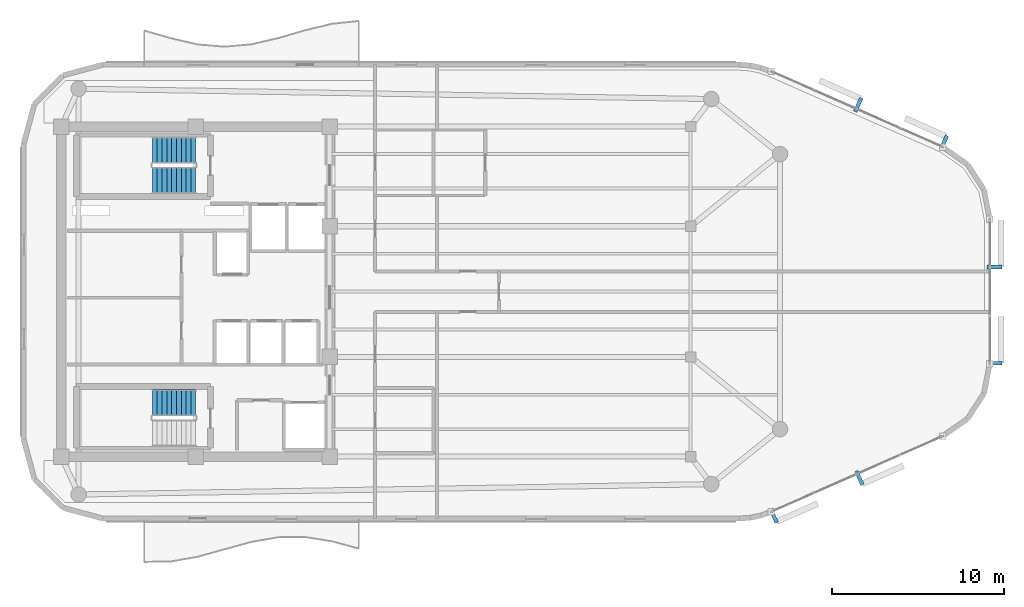
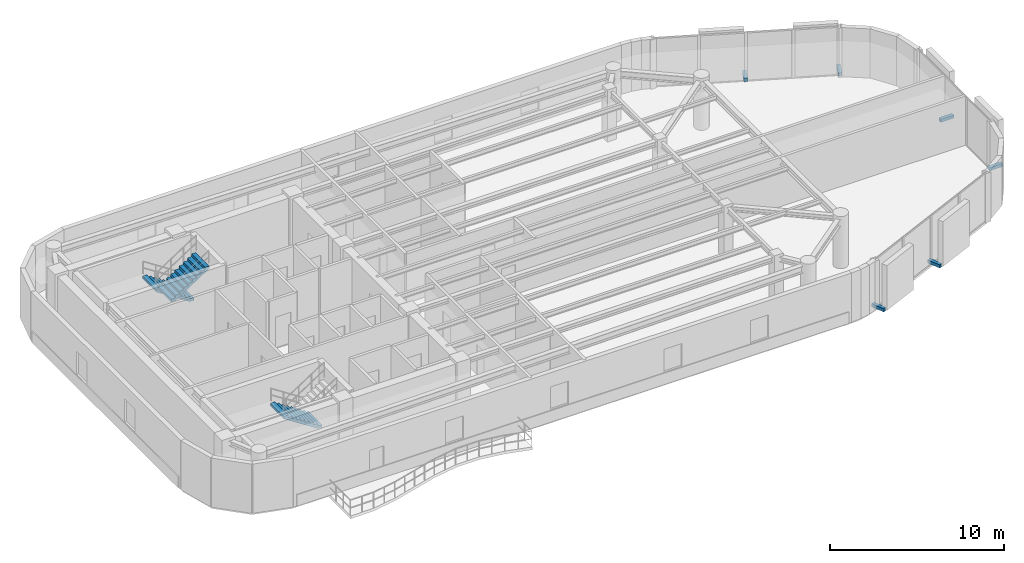
# One storey, part 10 of 12: 6 discrete accessories, 3 stair flights, 2 elements without a shape of their own.
"""IFC4 building model written with IfcOpenShell, lengths in metres."""

from ifc_helpers import new_model, si_unit, direction, frame, origin, origin_2d, place, context, subcontext, project, spatial, polyline, rectangle, outline, extrude, material, type_object, element, aggregate, save


model = new_model("IFC4")

# Units and contexts
model_context = context("Model", 3, precision=1e-05, world=origin(), true_north=direction((0.0, 1.0)))
body_context = subcontext(model_context, "Body", "Model", "MODEL_VIEW")
ifc_project = project(units=[si_unit("LENGTHUNIT", "METRE"), si_unit("AREAUNIT", "SQUARE_METRE"), si_unit("VOLUMEUNIT", "CUBIC_METRE"), si_unit("PLANEANGLEUNIT", "RADIAN"), si_unit("MASSUNIT", "GRAM", prefix="KILO")], contexts=[model_context])

# Site, building, storey
site_placement = place(None, origin())
site = spatial("IfcSite", under=ifc_project, at=site_placement, CompositionType="ELEMENT")
building_placement = place(site_placement, origin())
building = spatial("IfcBuilding", under=site, at=building_placement, Name="An Khanh Terracotta Commons", CompositionType="ELEMENT")
storey_placement = place(building_placement, frame((0.0, 0.0, 273.39990234375)))
storey = spatial("IfcBuildingStorey", under=building, at=storey_placement, Name="L71", CompositionType="ELEMENT", Elevation=273.39990234375)

# Stair, stair flights
ifc_material_1 = material(Name="Precast concrete C40/50", Category="concrete")
stair_type = type_object("IfcStairType", Name="STAIR-CORE-1550", PredefinedType="HALF_TURN_STAIR", material=ifc_material_1)
stair_1_placement = place(storey_placement, origin())
stair_1 = element("IfcStair", 1, at=stair_1_placement, inside=storey, type_object=stair_type, Name="L71 Core Smokeproof Exit Stair ST-01", PredefinedType="HALF_TURN_STAIR")
stair_flight_type = type_object("IfcStairFlightType", Name="FLIGHT-CORE-1550", PredefinedType="STRAIGHT", material=ifc_material_1)
stair_flight_1_placement = place(storey_placement, frame((29.409912109375, 32.22509765625, 0.0), z_axis=(0.0, 0.0, 1.0), x_axis=(-1.0, 0.0, 0.0)))
stair_flight_1 = element("IfcStairFlight", 2, at=stair_flight_1_placement, type_object=stair_flight_type, Name="ST-01 flight 1", NumberOfRisers=10, NumberOfTreads=9, PredefinedType="STRAIGHT", RiserHeight=0.1825, TreadLength=0.28, context=body_context, shape_type="SweptSolid", body=[
    extrude(outline(polyline([(0.0, 0.0), (0.0, 0.1826171875), (0.280029296875, 0.1826171875), (0.280029296875, 0.364990234375), (0.56005859375, 0.364990234375), (0.56005859375, 0.547607421875), (0.840087890625, 0.547607421875), (0.840087890625, 0.72998046875), (1.1201171875, 0.72998046875), (1.1201171875, 0.91259765625), (1.39990234375, 0.91259765625), (1.39990234375, 1.094970703125), (1.679931640625, 1.094970703125), (1.679931640625, 1.277587890625), (1.9599609375, 1.277587890625), (1.9599609375, 1.4599609375), (2.239990234375, 1.4599609375), (2.239990234375, 1.642578125), (2.52001953125, 1.642578125), (2.52001953125, 1.824951171875), (2.52001953125, 1.463623046875), (0.2744140625, 0.0), (0.0, 0.0)])), frame((0.0, 0.77490234375, 0.0), z_axis=(0.0, -1.0, 0.0), x_axis=(1.0, 0.0, 0.0)), (0.0, 0.0, 1.0), 1.550048828125),
])
stair_flight_2_placement = place(storey_placement, frame((26.889892578125, 30.47509765625, 1.8251953125), z_axis=(0.0, 0.0, 1.0), x_axis=(1.0, 0.0, 0.0)))
stair_flight_2 = element("IfcStairFlight", 3, at=stair_flight_2_placement, type_object=stair_flight_type, Name="ST-01 flight 2", NumberOfRisers=10, NumberOfTreads=9, PredefinedType="STRAIGHT", RiserHeight=0.1825, TreadLength=0.28, context=body_context, shape_type="SweptSolid", body=[
    extrude(outline(polyline([(0.0, 0.0), (0.0, 0.1826171875), (0.280029296875, 0.1826171875), (0.280029296875, 0.364990234375), (0.56005859375, 0.364990234375), (0.56005859375, 0.547607421875), (0.840087890625, 0.547607421875), (0.840087890625, 0.72998046875), (1.1201171875, 0.72998046875), (1.1201171875, 0.91259765625), (1.39990234375, 0.91259765625), (1.39990234375, 1.094970703125), (1.679931640625, 1.094970703125), (1.679931640625, 1.277587890625), (1.9599609375, 1.277587890625), (1.9599609375, 1.4599609375), (2.239990234375, 1.4599609375), (2.239990234375, 1.642578125), (2.52001953125, 1.642578125), (2.52001953125, 1.824951171875), (2.52001953125, 1.463623046875), (0.2744140625, 0.0), (0.0, 0.0)])), frame((0.0, 0.77490234375, 0.0), z_axis=(0.0, -1.0, 0.0), x_axis=(1.0, 0.0, 0.0)), (0.0, 0.0, 1.0), 1.550048828125),
])
aggregate(stair_1, [stair_flight_1, stair_flight_2])

# Stair, stair flight
stair_2_placement = place(storey_placement, origin())
stair_2 = element("IfcStair", 4, at=stair_2_placement, inside=storey, type_object=stair_type, Name="L71 Core Smokeproof Exit Stair ST-02", PredefinedType="HALF_TURN_STAIR")
stair_flight_3_placement = place(storey_placement, frame((29.409912109375, 17.52490234375, 0.0), z_axis=(0.0, 0.0, 1.0), x_axis=(-1.0, 0.0, 0.0)))
stair_flight_3 = element("IfcStairFlight", 5, at=stair_flight_3_placement, type_object=stair_flight_type, Name="ST-02 flight 1", NumberOfRisers=10, NumberOfTreads=9, PredefinedType="STRAIGHT", RiserHeight=0.1825, TreadLength=0.28, context=body_context, shape_type="SweptSolid", body=[
    extrude(outline(polyline([(0.0, 0.0), (0.0, 0.1826171875), (0.280029296875, 0.1826171875), (0.280029296875, 0.364990234375), (0.56005859375, 0.364990234375), (0.56005859375, 0.547607421875), (0.840087890625, 0.547607421875), (0.840087890625, 0.72998046875), (1.1201171875, 0.72998046875), (1.1201171875, 0.91259765625), (1.39990234375, 0.91259765625), (1.39990234375, 1.094970703125), (1.679931640625, 1.094970703125), (1.679931640625, 1.277587890625), (1.9599609375, 1.277587890625), (1.9599609375, 1.4599609375), (2.239990234375, 1.4599609375), (2.239990234375, 1.642578125), (2.52001953125, 1.642578125), (2.52001953125, 1.824951171875), (2.52001953125, 1.463623046875), (0.2744140625, 0.0), (0.0, 0.0)])), frame((0.0, 0.77490234375, 0.0), z_axis=(0.0, -1.0, 0.0), x_axis=(1.0, 0.0, 0.0)), (0.0, 0.0, 1.0), 1.550048828125),
])
aggregate(stair_2, [stair_flight_3])

# Discrete accessories
ifc_material_2 = material(Name="Stainless Steel Grade 316L", Category="steel")
discrete_accessory_type = type_object("IfcDiscreteAccessoryType", Name="Stainless Outrigger Facade Bracket", PredefinedType="BRACKET", material=ifc_material_2)
for number, where, z_axis, x_axis, name in (
    (6, (63.02587890625, 10.962890625, 0.0703125), (0.0, 0.0, 1.0), (0.914901853201, 0.403676354285, 0.0), "L71 Terracotta Screen Outrigger Bracket 1"),
    (7, (68.010986328125, 13.162109375, 0.0703125), (0.0, 0.0, 1.0), (0.914901853201, 0.403676354285, 0.0), "L71 Terracotta Screen Outrigger Bracket 3"),
    (8, (75.864990234375, 19.8330078125, 0.0703125), (0.0, 0.0, 1.0), (0.0, 1.0, 0.0), "L71 Terracotta Screen Outrigger Bracket 1"),
    (9, (75.864990234375, 25.43603515625, 0.0703125), (0.0, 0.0, 1.0), (0.0, 1.0, 0.0), "L71 Terracotta Screen Outrigger Bracket 3"),
    (10, (72.931884765625, 32.6669921875, 0.0703125), (0.0, 0.0, 1.0), (-0.914901853201, 0.403676354285, 0.0), "L71 Terracotta Screen Outrigger Bracket 1"),
    (11, (67.947021484375, 34.865966796875, 0.0703125), (0.0, 0.0, 1.0), (-0.914901853201, 0.403676354285, 0.0), "L71 Terracotta Screen Outrigger Bracket 3"),
):
    element("IfcDiscreteAccessory", number, at=place(storey_placement, frame(where, z_axis=z_axis, x_axis=x_axis)), inside=storey, type_object=discrete_accessory_type, Name=name, PredefinedType="BRACKET", context=body_context, shape_type="SweptSolid", body=[
        extrude(rectangle(XDim=0.219970703125, YDim=0.8701171875, at=origin_2d()), origin(), (0.0, 0.0, 1.0), 0.219970703125),
    ])

save(model, "model.ifc")
